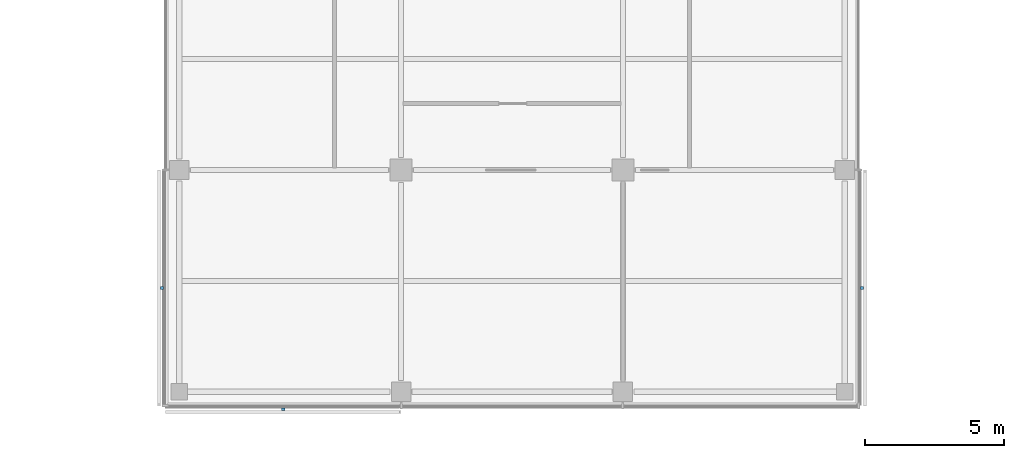
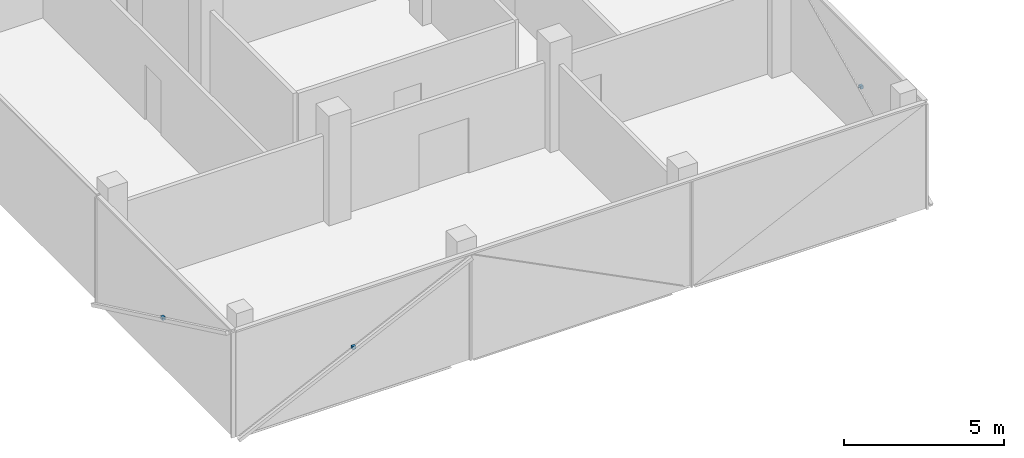
# One storey, part 13 of 15: 3 discrete accessories.
"""IFC4 building model written with IfcOpenShell, lengths in metres."""

from ifc_helpers import new_model, si_unit, direction, frame, origin, origin_2d, place, context, subcontext, project, spatial, rectangle, extrude, material, type_object, element, save


model = new_model("IFC4")

# Units and contexts
model_context = context("Model", 3, precision=1e-05, world=origin(), true_north=direction((0.0, 1.0)))
body_context = subcontext(model_context, "Body", "Model", "MODEL_VIEW")
ifc_project = project(units=[si_unit("LENGTHUNIT", "METRE"), si_unit("AREAUNIT", "SQUARE_METRE"), si_unit("VOLUMEUNIT", "CUBIC_METRE"), si_unit("PLANEANGLEUNIT", "RADIAN"), si_unit("MASSUNIT", "GRAM", prefix="KILO")], contexts=[model_context])

# Site, building, storey
site_placement = place(None, origin())
site = spatial("IfcSite", under=ifc_project, at=site_placement, CompositionType="ELEMENT")
building_placement = place(site_placement, origin())
building = spatial("IfcBuilding", under=site, at=building_placement, Name="Crosswind Convention Tower", CompositionType="ELEMENT")
storey_placement = place(building_placement, frame((0.0, 0.0, 233.5)))
storey = spatial("IfcBuildingStorey", under=building, at=storey_placement, Name="L50", CompositionType="ELEMENT", Elevation=233.5)

# Discrete accessories
ifc_material = material(Name="Stainless steel", Category="steel")
discrete_accessory_type = type_object("IfcDiscreteAccessoryType", Name="BAGUETTE BRACKET BK3", PredefinedType="BRACKET", material=ifc_material)
for number, where, z_axis, x_axis, name in (
    (1, (112.3740234375, 75.7451171875, 1.655029296875), (0.0, 0.0, 1.0), (0.0, -1.0, 0.0), "BK3 baguette bracket"),
    (2, (116.7451171875, 71.3740234375, 1.655029296875), (0.0, 0.0, 1.0), (1.0, 0.0, 0.0), "BK3 baguette bracket"),
    (3, (137.6259765625, 75.7451171875, 1.655029296875), (0.0, 0.0, 1.0), (0.0, 1.0, 0.0), "BK3 baguette bracket"),
):
    element("IfcDiscreteAccessory", number, at=place(storey_placement, frame(where, z_axis=z_axis, x_axis=x_axis)), inside=storey, type_object=discrete_accessory_type, Name=name, PredefinedType="BRACKET", context=body_context, shape_type="SweptSolid", body=[
        extrude(rectangle(XDim=0.1201171875, YDim=0.10009765625, at=origin_2d()), origin(), (0.0, 0.0, 1.0), 0.1201171875),
    ])

save(model, "model.ifc")
